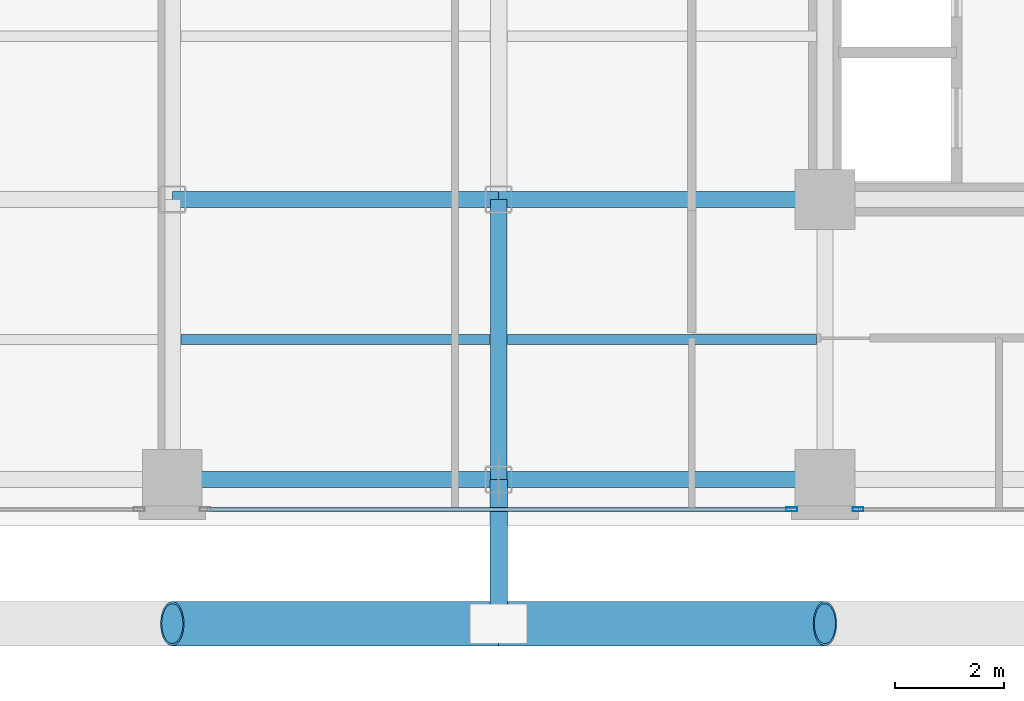
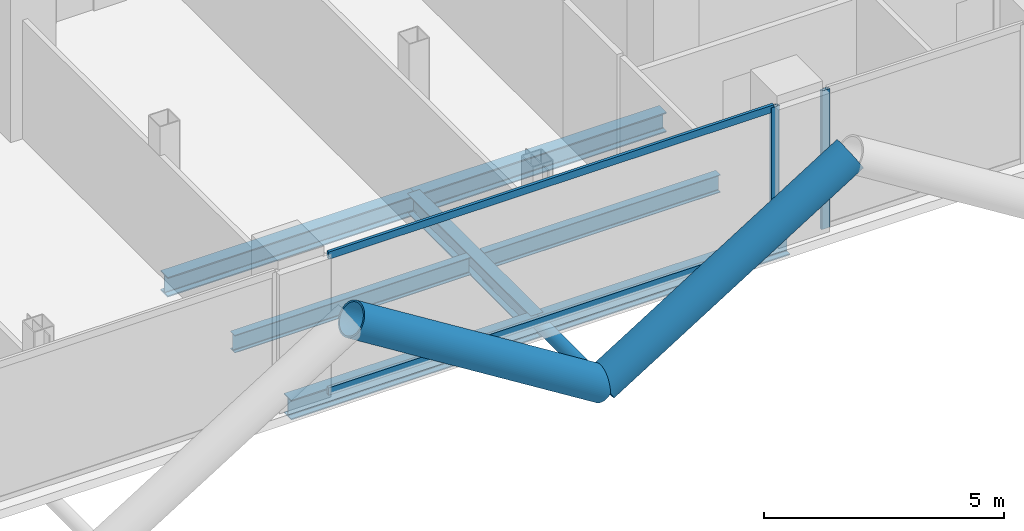
# One storey, part 4 of 28: 7 beams, 7 members, 2 elements without a shape of their own.
"""IFC4 building model written with IfcOpenShell, lengths in metres."""

from ifc_helpers import new_model, si_unit, direction, frame, origin, origin_2d, place, context, subcontext, project, spatial, hollow_rectangle, hollow_circle, i_section, extrude, material, layer, layer_set, material_profile, profile_set, type_object, element, aggregate, save


model = new_model("IFC4")

# Units and contexts
model_context = context("Model", 3, precision=1e-05, world=origin(), true_north=direction((0.0, 1.0)))
body_context = subcontext(model_context, "Body", "Model", "MODEL_VIEW")
ifc_project = project(units=[si_unit("LENGTHUNIT", "METRE"), si_unit("AREAUNIT", "SQUARE_METRE"), si_unit("VOLUMEUNIT", "CUBIC_METRE"), si_unit("PLANEANGLEUNIT", "RADIAN"), si_unit("MASSUNIT", "GRAM", prefix="KILO"), si_unit("THERMODYNAMICTEMPERATUREUNIT", "KELVIN"), si_unit("POWERUNIT", "WATT")], contexts=[model_context])

# Site, building, storey
site_placement = place(None, origin())
site = spatial("IfcSite", under=ifc_project, at=site_placement, CompositionType="ELEMENT")
building_placement = place(site_placement, origin())
building = spatial("IfcBuilding", under=site, at=building_placement, Name="Svarakhadi Broadcast Tower", CompositionType="ELEMENT")
storey_placement = place(building_placement, frame((0.0, 0.0, 103.35009765625)))
storey = spatial("IfcBuildingStorey", under=building, at=storey_placement, Name="L24", CompositionType="ELEMENT", Elevation=103.35009765625)

# Beams
ifc_material_1 = material(Name="Steel S355J2 (IS 2062 E350C)", Category="steel")
ifc_material_profile_1 = material_profile(ifc_material_1, i_section(OverallWidth=0.18994140625, OverallDepth=0.449951171875, WebThickness=0.009521484375, FlangeThickness=0.0146484375, FilletRadius=0.02099609375, at=origin_2d()), Name="NPB 450x190x78")
ifc_profile_set_1 = profile_set([ifc_material_profile_1], Name="Steel S355J2 (IS 2062 E350C)")
beam_type_1 = type_object("IfcBeamType", Name="Beam_NPB450", PredefinedType="BEAM", material=ifc_profile_set_1)
for number, where, z_axis, x_axis, name in (
    (1, (12.159912109375, 3.425048828125, -0.4501953125), (1.0, 0.0, 0.0), (0.0, 1.0, 0.0), "L24 Secondary Composite Beam SB011"),
    (2, (18.159912109375, 3.425048828125, -0.4501953125), (1.0, 0.0, 0.0), (0.0, 1.0, 0.0), "L24 Secondary Composite Beam SB016"),
):
    element("IfcBeam", number, at=place(storey_placement, frame(where, z_axis=z_axis, x_axis=x_axis)), inside=storey, type_object=beam_type_1, Name=name, PredefinedType="BEAM", context=body_context, shape_type="SweptSolid", body=[
        extrude(i_section(OverallWidth=0.18994140625, OverallDepth=0.449951171875, WebThickness=0.009521484375, FlangeThickness=0.0146484375, FilletRadius=0.02099609375, at=origin_2d()), origin(), (0.0, 0.0, 1.0), 5.68017578125),
    ])

# Curtain wall, member
ifc_material_2 = material(Name="Anodised Bronze Aluminium AA 6063-T6", Category="aluminium")
ifc_layer = layer(ifc_material_2, 0.199951171875)
ifc_layer_set = layer_set([ifc_layer], Name="Anodised Bronze Aluminium AA 6063-T6")
curtain_wall_type = type_object("IfcCurtainWallType", Name="CW_Sys_03", PredefinedType="NOTDEFINED", material=ifc_layer_set)
curtain_wall_1_placement = place(storey_placement, origin())
curtain_wall_1 = element("IfcCurtainWall", 3, at=curtain_wall_1_placement, inside=storey, type_object=curtain_wall_type, Name="L24 South Curtain Wall 17 Bay 2", PredefinedType="NOTDEFINED")
ifc_material_profile_2 = material_profile(ifc_material_2, hollow_rectangle(XDim=0.074951171875, YDim=0.199951171875, WallThickness=0.005615234375, at=origin_2d()), Name="ALU MULLION 200x75x6")
ifc_profile_set_2 = profile_set([ifc_material_profile_2], Name="Anodised Bronze Aluminium AA 6063-T6")
member_type_1 = type_object("IfcMemberType", Name="CW_Sys_03_Mul", PredefinedType="MULLION", material=ifc_profile_set_2)
member_1_placement = place(storey_placement, frame((24.607421875, 0.300048828125, 0.0), z_axis=(0.0, 0.0, 1.0), x_axis=(0.0, -1.0, 0.0)))
member_1 = element("IfcMember", 4, at=member_1_placement, type_object=member_type_1, Name="CW-03 mullion 2", PredefinedType="MULLION", context=body_context, shape_type="SweptSolid", body=[
    extrude(hollow_rectangle(XDim=0.074951171875, YDim=0.199951171875, WallThickness=0.005615234375, at=origin_2d()), origin(), (0.0, 0.0, 1.0), 3.52490234375),
])
aggregate(curtain_wall_1, [member_1])

# Curtain wall, members
curtain_wall_2_placement = place(storey_placement, origin())
curtain_wall_2 = element("IfcCurtainWall", 5, at=curtain_wall_2_placement, inside=storey, type_object=curtain_wall_type, Name="L24 South Curtain Wall 17 Bay 3", PredefinedType="NOTDEFINED")
member_2_placement = place(storey_placement, frame((23.392578125, 0.300048828125, 0.0), z_axis=(0.0, 0.0, 1.0), x_axis=(0.0, -1.0, 0.0)))
member_2 = element("IfcMember", 6, at=member_2_placement, type_object=member_type_1, Name="CW-03 mullion 1", PredefinedType="MULLION", context=body_context, shape_type="SweptSolid", body=[
    extrude(hollow_rectangle(XDim=0.074951171875, YDim=0.199951171875, WallThickness=0.005615234375, at=origin_2d()), origin(), (0.0, 0.0, 1.0), 3.52490234375),
])
ifc_material_profile_3 = material_profile(ifc_material_2, hollow_rectangle(XDim=0.070068359375, YDim=0.18505859375, WallThickness=0.0048828125, at=origin_2d()), Name="ALU TRANSOM 185x70x5")
ifc_profile_set_3 = profile_set([ifc_material_profile_3], Name="Anodised Bronze Aluminium AA 6063-T6")
member_type_2 = type_object("IfcMemberType", Name="CW_Sys_03_Trn", PredefinedType="USERDEFINED", material=ifc_profile_set_3)
member_3_placement = place(storey_placement, frame((23.35498046875, 0.300048828125, 0.034912109375), z_axis=(-1.0, 0.0, 0.0), x_axis=(0.0, -1.0, 0.0)))
member_3 = element("IfcMember", 7, at=member_3_placement, type_object=member_type_2, Name="CW-03 transom 1.1", ObjectType="TRANSOM", PredefinedType="USERDEFINED", context=body_context, shape_type="SweptSolid", body=[
    extrude(hollow_rectangle(XDim=0.070068359375, YDim=0.18505859375, WallThickness=0.0048828125, at=origin_2d()), origin(), (0.0, 0.0, 1.0), 10.7099609375),
])
member_4_placement = place(storey_placement, frame((23.35498046875, 0.300048828125, 3.489990234375), z_axis=(-1.0, 0.0, 0.0), x_axis=(0.0, -1.0, 0.0)))
member_4 = element("IfcMember", 8, at=member_4_placement, type_object=member_type_2, Name="CW-03 transom 1.2", ObjectType="TRANSOM", PredefinedType="USERDEFINED", context=body_context, shape_type="SweptSolid", body=[
    extrude(hollow_rectangle(XDim=0.070068359375, YDim=0.18505859375, WallThickness=0.0048828125, at=origin_2d()), origin(), (0.0, 0.0, 1.0), 10.7099609375),
])
aggregate(curtain_wall_2, [member_2, member_3, member_4])

# Members
ifc_material_3 = material(Name="Steel S460ML (IS 2062 E450BR)", Category="steel")
ifc_material_profile_4 = material_profile(ifc_material_3, hollow_circle(Radius=0.406494140625, WallThickness=0.0400390625, at=origin_2d()), Name="CHS 813x40")
ifc_profile_set_4 = profile_set([ifc_material_profile_4], Name="Steel S460ML (IS 2062 E450BR)")
member_type_3 = type_object("IfcMemberType", Name="Exo_Brace_CHS813", PredefinedType="BRACE", material=ifc_profile_set_4)
for number, where, z_axis, x_axis, name in (
    (9, (18.0, -1.800048828125, -0.386962890625), (-0.847998304005, 0.0, 0.529998940003), (0.0, -1.0, 0.0), "L24 Exposed Bronze Exoskeleton Diagonal S02"),
    (10, (18.0, -1.800048828125, -0.386962890625), (0.847998304005, 0.0, 0.529998940003), (0.0, 1.0, 0.0), "L24 Exposed Bronze Exoskeleton Diagonal S03"),
):
    element("IfcMember", number, at=place(storey_placement, frame(where, z_axis=z_axis, x_axis=x_axis)), inside=storey, type_object=member_type_3, Name=name, PredefinedType="BRACE", context=body_context, shape_type="SweptSolid", body=[
        extrude(hollow_circle(Radius=0.406494140625, WallThickness=0.0400390625, at=origin_2d()), origin(), (0.0, 0.0, 1.0), 7.075439453125),
    ])
ifc_material_profile_5 = material_profile(ifc_material_3, hollow_circle(Radius=0.161865234375, WallThickness=0.01611328125, at=origin_2d()), Name="CHS 323.9x16")
ifc_profile_set_5 = profile_set([ifc_material_profile_5], Name="Steel S460ML (IS 2062 E450BR)")
member_type_4 = type_object("IfcMemberType", Name="Exo_Radial_Strut_Z2", PredefinedType="STRUT", material=ifc_profile_set_5)
member_5_placement = place(storey_placement, frame((18.0, -1.800048828125, -0.386962890625), z_axis=(0.0, 1.0, 0.0), x_axis=(-1.0, 0.0, 0.0)))
element("IfcMember", 11, at=member_5_placement, inside=storey, type_object=member_type_4, Name="L24 Exoskeleton Radial Tie Strut S02", PredefinedType="STRUT", context=body_context, shape_type="SweptSolid", body=[
    extrude(hollow_circle(Radius=0.161865234375, WallThickness=0.01611328125, at=origin_2d()), origin(), (0.0, 0.0, 1.0), 2.650146484375),
])

# Beams
ifc_material_profile_6 = material_profile(ifc_material_1, i_section(OverallWidth=0.300048828125, OverallDepth=0.5, WebThickness=0.014404296875, FlangeThickness=0.028076171875, FilletRadius=0.027099609375, at=origin_2d()), Name="WPB 500x300x187")
ifc_profile_set_6 = profile_set([ifc_material_profile_6], Name="Steel S355J2 (IS 2062 E350C)")
beam_type_2 = type_object("IfcBeamType", Name="Girder_WPB500", PredefinedType="USERDEFINED", material=ifc_profile_set_6)
for number, where, z_axis, x_axis, name in (
    (12, (12.0, 0.85009765625, -0.47509765625), (1.0, 0.0, 0.0), (0.0, 1.0, 0.0), "L24 Primary E-W Girder G005"),
    (13, (18.0, 0.85009765625, -0.47509765625), (1.0, 0.0, 0.0), (0.0, 1.0, 0.0), "L24 Primary E-W Girder G006"),
    (14, (12.0, 6.0, -0.47509765625), (1.0, 0.0, 0.0), (0.0, 1.0, 0.0), "L24 Primary E-W Girder G012"),
    (15, (18.0, 6.0, -0.47509765625), (1.0, 0.0, 0.0), (0.0, 1.0, 0.0), "L24 Primary E-W Girder G013"),
):
    element("IfcBeam", number, at=place(storey_placement, frame(where, z_axis=z_axis, x_axis=x_axis)), inside=storey, type_object=beam_type_2, Name=name, ObjectType="GIRDER", PredefinedType="USERDEFINED", context=body_context, shape_type="SweptSolid", body=[
        extrude(i_section(OverallWidth=0.300048828125, OverallDepth=0.5, WebThickness=0.014404296875, FlangeThickness=0.028076171875, FilletRadius=0.027099609375, at=origin_2d()), origin(), (0.0, 0.0, 1.0), 6.0),
    ])
beam_placement = place(storey_placement, frame((18.0, 0.85009765625, -0.47509765625), z_axis=(0.0, 1.0, 0.0), x_axis=(-1.0, 0.0, 0.0)))
element("IfcBeam", 16, at=beam_placement, inside=storey, type_object=beam_type_2, Name="L24 Primary N-S Girder G056", ObjectType="GIRDER", PredefinedType="USERDEFINED", context=body_context, shape_type="SweptSolid", body=[
    extrude(i_section(OverallWidth=0.300048828125, OverallDepth=0.5, WebThickness=0.014404296875, FlangeThickness=0.028076171875, FilletRadius=0.027099609375, at=origin_2d()), origin(), (0.0, 0.0, 1.0), 5.14990234375),
])

save(model, "model.ifc")
